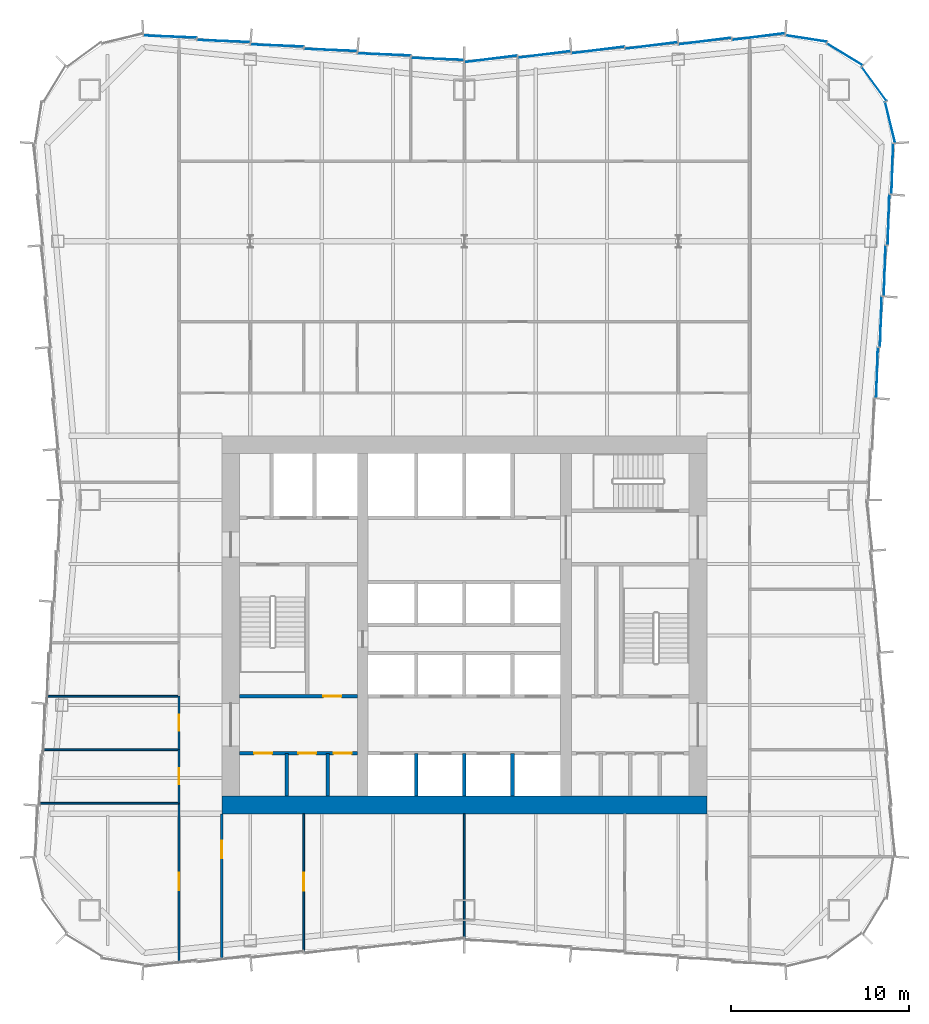
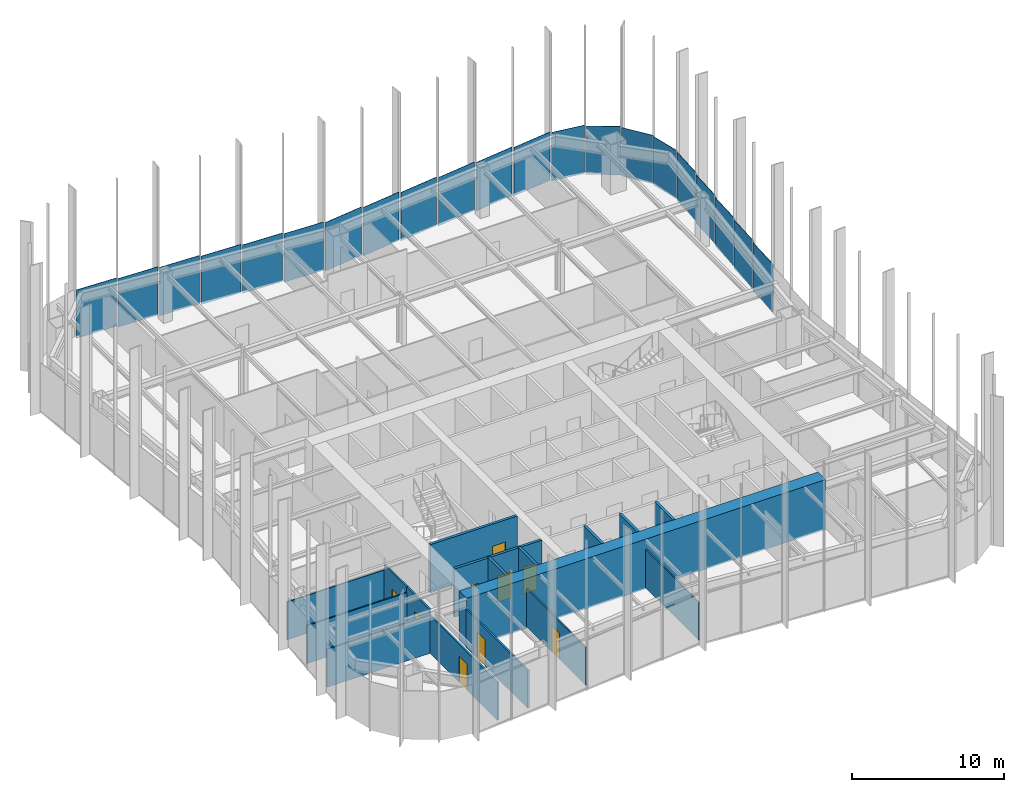
# One storey, part 9 of 13: 21 plates, 17 walls, 9 doors, 9 openings, 3 elements without a shape of their own.
"""IFC4 building model written with IfcOpenShell, lengths in metres."""

from ifc_helpers import new_model, si_unit, direction, frame, frame_2d, origin, origin_2d, place, context, subcontext, project, spatial, rectangle, extrude, material, layer, layer_set, type_object, element, fill, aggregate, save


model = new_model("IFC4")

# Units and contexts
model_context = context("Model", 3, precision=1e-05, world=origin(), true_north=direction((0.0, 1.0)))
body_context = subcontext(model_context, "Body", "Model", "MODEL_VIEW")
ifc_project = project(units=[si_unit("LENGTHUNIT", "METRE"), si_unit("AREAUNIT", "SQUARE_METRE"), si_unit("VOLUMEUNIT", "CUBIC_METRE"), si_unit("PLANEANGLEUNIT", "RADIAN"), si_unit("MASSUNIT", "GRAM", prefix="KILO")], contexts=[model_context])

# Site, building, storey
site_placement = place(None, origin())
site = spatial("IfcSite", under=ifc_project, at=site_placement, CompositionType="ELEMENT")
building_placement = place(site_placement, origin())
building = spatial("IfcBuilding", under=site, at=building_placement, Name="Verdant Reach Tower", CompositionType="ELEMENT")
storey_placement = place(building_placement, frame((0.0, 0.0, 126.0)))
storey = spatial("IfcBuildingStorey", under=building, at=storey_placement, Name="L28", CompositionType="ELEMENT", Elevation=126.0)

# Curtain wall, plates
ifc_material_1 = material(Name="Anodised aluminium", Category="aluminium")
curtain_wall_type = type_object("IfcCurtainWallType", Name="EN-CW SYSTEM Z2", PredefinedType="NOTDEFINED", material=ifc_material_1)
curtain_wall_1_placement = place(storey_placement, origin())
curtain_wall_1 = element("IfcCurtainWall", 1, at=curtain_wall_1_placement, inside=storey, type_object=curtain_wall_type, Name="Curtain wall east, L28", PredefinedType="NOTDEFINED")
ifc_material_2 = material(Name="Tinted glass with champagne spandrel", Category="glass")
ifc_layer_1 = layer(ifc_material_2, 0.031982421875)
ifc_layer_set_1 = layer_set([ifc_layer_1], Name="EN-PANEL CHAMPAGNE")
plate_type_1 = type_object("IfcPlateType", Name="EN-PANEL CHAMPAGNE", PredefinedType="CURTAIN_PANEL", material=ifc_layer_set_1)
plate_1_placement = place(storey_placement, frame((23.355712890625, 44.9921875, -0.22607421875), z_axis=(0.0, 0.0, 1.0), x_axis=(0.032965971753, 0.999456474643, 0.0)))
plate_1 = element("IfcPlate", 2, at=plate_1_placement, type_object=plate_type_1, Name="Glass panel east face part 2 4.1, L28", PredefinedType="CURTAIN_PANEL", context=body_context, shape_type="SweptSolid", body=[
    extrude(rectangle(XDim=2.80517578125, YDim=0.031982421875, at=origin_2d()), origin(), (0.0, 0.0, 1.0), 3.8759765625),
])
plate_2_placement = place(storey_placement, frame((23.570068359375, 47.84912109375, -0.22607421875), z_axis=(0.0, 0.0, 1.0), x_axis=(0.032965971753, 0.999456474643, 0.0)))
plate_2 = element("IfcPlate", 3, at=plate_2_placement, type_object=plate_type_1, Name="Glass panel east face part 2 5.1, L28", PredefinedType="CURTAIN_PANEL", context=body_context, shape_type="SweptSolid", body=[
    extrude(rectangle(XDim=2.80517578125, YDim=0.031982421875, at=origin_2d()), origin(), (0.0, 0.0, 1.0), 3.8759765625),
])
plate_3_placement = place(storey_placement, frame((23.7841796875, 50.706298828125, -0.22607421875), z_axis=(0.0, 0.0, 1.0), x_axis=(0.032965971753, 0.999456474643, 0.0)))
plate_3 = element("IfcPlate", 4, at=plate_3_placement, type_object=plate_type_1, Name="Glass panel east face part 2 6.1, L28", PredefinedType="CURTAIN_PANEL", context=body_context, shape_type="SweptSolid", body=[
    extrude(rectangle(XDim=2.80517578125, YDim=0.031982421875, at=origin_2d()), origin(), (0.0, 0.0, 1.0), 3.8759765625),
])

curtain_wall_2_placement = place(storey_placement, origin())
curtain_wall_2 = element("IfcCurtainWall", 5, at=curtain_wall_2_placement, inside=storey, type_object=curtain_wall_type, Name="Curtain wall north-east corner, L28", PredefinedType="NOTDEFINED")
plate_4_placement = place(storey_placement, frame((21.3271484375, 59.9794921875, -0.22607421875), z_axis=(0.0, 0.0, 1.0), x_axis=(-0.853988694998, 0.520291561353, 0.0)))
plate_4 = element("IfcPlate", 6, at=plate_4_placement, type_object=plate_type_1, Name="Glass panel north-east corner 3.1, L28", PredefinedType="CURTAIN_PANEL", context=body_context, shape_type="SweptSolid", body=[
    extrude(rectangle(XDim=2.322509765625, YDim=0.031982421875, at=origin_2d()), origin(), (0.0, 0.0, 1.0), 3.8759765625),
])
plate_5_placement = place(storey_placement, frame((19.17138671875, 60.87353515625, -0.22607421875), z_axis=(0.0, 0.0, 1.0), x_axis=(-0.988030887576, 0.154256167447, 0.0)))
plate_5 = element("IfcPlate", 7, at=plate_5_placement, type_object=plate_type_1, Name="Glass panel north-east corner 4.1, L28", PredefinedType="CURTAIN_PANEL", context=body_context, shape_type="SweptSolid", body=[
    extrude(rectangle(XDim=2.31640625, YDim=0.031982421875, at=origin_2d()), origin(), (0.0, 0.0, 1.0), 3.8759765625),
])

curtain_wall_3_placement = place(storey_placement, origin())
curtain_wall_3 = element("IfcCurtainWall", 8, at=curtain_wall_3_placement, inside=storey, type_object=curtain_wall_type, Name="Curtain wall north, L28", PredefinedType="NOTDEFINED")
plate_6_placement = place(storey_placement, frame((16.49853515625, 60.980712890625, -0.22607421875), z_axis=(0.0, 0.0, 1.0), x_axis=(-0.992236570309, -0.124364739946, 0.0)))
plate_6 = element("IfcPlate", 9, at=plate_6_placement, type_object=plate_type_1, Name="Glass panel north face part 1 1.1, L28", PredefinedType="CURTAIN_PANEL", context=body_context, shape_type="SweptSolid", body=[
    extrude(rectangle(XDim=2.965087890625, YDim=0.031982421875, at=origin_2d()), origin(), (0.0, 0.0, 1.0), 3.8759765625),
])
plate_7_placement = place(storey_placement, frame((13.4912109375, 60.730712890625, -0.22607421875), z_axis=(0.0, 0.0, 1.0), x_axis=(-0.992194034542, -0.124703639961, 0.0)))
plate_7 = element("IfcPlate", 10, at=plate_7_placement, type_object=plate_type_1, Name="Glass panel north face part 1 2.1, L28", PredefinedType="CURTAIN_PANEL", context=body_context, shape_type="SweptSolid", body=[
    extrude(rectangle(XDim=2.950439453125, YDim=0.031982421875, at=origin_2d()), origin(), (0.0, 0.0, 1.0), 3.8759765625),
])
plate_8_placement = place(storey_placement, frame((-4.4912109375, 59.980712890625, -0.22607421875), z_axis=(0.0, 0.0, 1.0), x_axis=(-0.999149202059, 0.041241629766, 0.0)))
plate_8 = element("IfcPlate", 11, at=plate_8_placement, type_object=plate_type_1, Name="Glass panel north face part 2 2.1, L28", PredefinedType="CURTAIN_PANEL", context=body_context, shape_type="SweptSolid", body=[
    extrude(rectangle(XDim=2.950439453125, YDim=0.031982421875, at=origin_2d()), origin(), (0.0, 0.0, 1.0), 3.8759765625),
])
plate_9_placement = place(storey_placement, frame((-7.4912109375, 60.230712890625, -0.22607421875), z_axis=(0.0, 0.0, 1.0), x_axis=(-0.999149202059, 0.041241629766, 0.0)))
plate_9 = element("IfcPlate", 12, at=plate_9_placement, type_object=plate_type_1, Name="Glass panel north face part 2 3.1, L28", PredefinedType="CURTAIN_PANEL", context=body_context, shape_type="SweptSolid", body=[
    extrude(rectangle(XDim=2.950439453125, YDim=0.031982421875, at=origin_2d()), origin(), (0.0, 0.0, 1.0), 3.8759765625),
])
plate_10_placement = place(storey_placement, frame((-10.4912109375, 60.480712890625, -0.22607421875), z_axis=(0.0, 0.0, 1.0), x_axis=(-0.999149202059, 0.041241629766, 0.0)))
plate_10 = element("IfcPlate", 13, at=plate_10_placement, type_object=plate_type_1, Name="Glass panel north face part 2 4.1, L28", PredefinedType="CURTAIN_PANEL", context=body_context, shape_type="SweptSolid", body=[
    extrude(rectangle(XDim=2.950439453125, YDim=0.031982421875, at=origin_2d()), origin(), (0.0, 0.0, 1.0), 3.8759765625),
])

# Plate
ifc_material_3 = material(Name="Tinted glass with copper spandrel", Category="glass")
ifc_layer_2 = layer(ifc_material_3, 0.031982421875)
ifc_layer_set_2 = layer_set([ifc_layer_2], Name="EN-PANEL COPPER")
plate_type_2 = type_object("IfcPlateType", Name="EN-PANEL COPPER", PredefinedType="CURTAIN_PANEL", material=ifc_layer_set_2)
plate_11_placement = place(storey_placement, frame((23.99853515625, 53.57080078125, -0.22607421875), z_axis=(0.0, 0.0, 1.0), x_axis=(0.032628234484, 0.99946755741, 0.0)))
plate_11 = element("IfcPlate", 14, at=plate_11_placement, type_object=plate_type_2, Name="Glass panel east face part 2 7.1, L28", PredefinedType="CURTAIN_PANEL", context=body_context, shape_type="SweptSolid", body=[
    extrude(rectangle(XDim=2.819580078125, YDim=0.031982421875, at=origin_2d()), origin(), (0.0, 0.0, 1.0), 3.8759765625),
])

plate_12_placement = place(storey_placement, frame((10.4912109375, 60.480712890625, -0.22607421875), z_axis=(0.0, 0.0, 1.0), x_axis=(-0.992194034542, -0.124703639961, 0.0)))
plate_12 = element("IfcPlate", 15, at=plate_12_placement, type_object=plate_type_2, Name="Glass panel north face part 1 3.1, L28", PredefinedType="CURTAIN_PANEL", context=body_context, shape_type="SweptSolid", body=[
    extrude(rectangle(XDim=2.950439453125, YDim=0.031982421875, at=origin_2d()), origin(), (0.0, 0.0, 1.0), 3.8759765625),
])

plate_13_placement = place(storey_placement, frame((7.4912109375, 60.230712890625, -0.22607421875), z_axis=(0.0, 0.0, 1.0), x_axis=(-0.992194034542, -0.124703639961, 0.0)))
plate_13 = element("IfcPlate", 16, at=plate_13_placement, type_object=plate_type_2, Name="Glass panel north face part 1 4.1, L28", PredefinedType="CURTAIN_PANEL", context=body_context, shape_type="SweptSolid", body=[
    extrude(rectangle(XDim=2.950439453125, YDim=0.031982421875, at=origin_2d()), origin(), (0.0, 0.0, 1.0), 3.8759765625),
])

plate_14_placement = place(storey_placement, frame((4.4912109375, 59.980712890625, -0.22607421875), z_axis=(0.0, 0.0, 1.0), x_axis=(-0.992194034542, -0.124703639961, 0.0)))
plate_14 = element("IfcPlate", 17, at=plate_14_placement, type_object=plate_type_2, Name="Glass panel north face part 1 5.1, L28", PredefinedType="CURTAIN_PANEL", context=body_context, shape_type="SweptSolid", body=[
    extrude(rectangle(XDim=2.950439453125, YDim=0.031982421875, at=origin_2d()), origin(), (0.0, 0.0, 1.0), 3.8759765625),
])

plate_15_placement = place(storey_placement, frame((-13.4912109375, 60.730712890625, -0.22607421875), z_axis=(0.0, 0.0, 1.0), x_axis=(-0.999149202059, 0.041241629766, 0.0)))
plate_15 = element("IfcPlate", 18, at=plate_15_placement, type_object=plate_type_2, Name="Glass panel north face part 2 5.1, L28", PredefinedType="CURTAIN_PANEL", context=body_context, shape_type="SweptSolid", body=[
    extrude(rectangle(XDim=2.950439453125, YDim=0.031982421875, at=origin_2d()), origin(), (0.0, 0.0, 1.0), 3.8759765625),
])

plate_16_placement = place(storey_placement, frame((-16.49853515625, 60.980712890625, -0.22607421875), z_axis=(0.0, 0.0, 1.0), x_axis=(-0.999163230224, 0.040900359019, 0.0)))
plate_16 = element("IfcPlate", 19, at=plate_16_placement, type_object=plate_type_2, Name="Glass panel north face part 2 6.1, L28", PredefinedType="CURTAIN_PANEL", context=body_context, shape_type="SweptSolid", body=[
    extrude(rectangle(XDim=2.965087890625, YDim=0.031982421875, at=origin_2d()), origin(), (0.0, 0.0, 1.0), 3.8759765625),
])

ifc_material_4 = material(Name="Tinted glass with dark bronze spandrel", Category="glass")
ifc_layer_3 = layer(ifc_material_4, 0.031982421875)
ifc_layer_set_3 = layer_set([ifc_layer_3], Name="EN-PANEL DARK")
plate_type_3 = type_object("IfcPlateType", Name="EN-PANEL DARK", PredefinedType="CURTAIN_PANEL", material=ifc_layer_set_3)
plate_17_placement = place(storey_placement, frame((23.141357421875, 42.135009765625, -0.22607421875), z_axis=(0.0, 0.0, 1.0), x_axis=(0.032965971753, 0.999456474643, 0.0)))
plate_17 = element("IfcPlate", 20, at=plate_17_placement, type_object=plate_type_3, Name="Glass panel east face part 2 3.1, L28", PredefinedType="CURTAIN_PANEL", context=body_context, shape_type="SweptSolid", body=[
    extrude(rectangle(XDim=2.80517578125, YDim=0.031982421875, at=origin_2d()), origin(), (0.0, 0.0, 1.0), 3.8759765625),
])

aggregate(curtain_wall_1, [plate_17, plate_1, plate_2, plate_3, plate_11])

plate_18_placement = place(storey_placement, frame((23.87353515625, 56.171630859375, -0.22607421875), z_axis=(0.0, 0.0, 1.0), x_axis=(-0.236416170006, 0.971651889598, 0.0)))
plate_18 = element("IfcPlate", 21, at=plate_18_placement, type_object=plate_type_3, Name="Glass panel north-east corner 1.1, L28", PredefinedType="CURTAIN_PANEL", context=body_context, shape_type="SweptSolid", body=[
    extrude(rectangle(XDim=2.316162109375, YDim=0.031982421875, at=origin_2d()), origin(), (0.0, 0.0, 1.0), 3.8759765625),
])

plate_19_placement = place(storey_placement, frame((22.9794921875, 58.3271484375, -0.22607421875), z_axis=(0.0, 0.0, 1.0), x_axis=(-0.589926757843, 0.807456760688, 0.0)))
plate_19 = element("IfcPlate", 22, at=plate_19_placement, type_object=plate_type_3, Name="Glass panel north-east corner 2.1, L28", PredefinedType="CURTAIN_PANEL", context=body_context, shape_type="SweptSolid", body=[
    extrude(rectangle(XDim=2.322509765625, YDim=0.031982421875, at=origin_2d()), origin(), (0.0, 0.0, 1.0), 3.8759765625),
])

aggregate(curtain_wall_2, [plate_18, plate_19, plate_4, plate_5])

plate_20_placement = place(storey_placement, frame((1.49560546875, 59.730712890625, -0.22607421875), z_axis=(0.0, 0.0, 1.0), x_axis=(-0.992178815188, -0.12482467181, 0.0)))
plate_20 = element("IfcPlate", 23, at=plate_20_placement, type_object=plate_type_3, Name="Glass panel north face part 1 6.1, L28", PredefinedType="CURTAIN_PANEL", context=body_context, shape_type="SweptSolid", body=[
    extrude(rectangle(XDim=2.941650390625, YDim=0.031982421875, at=origin_2d()), origin(), (0.0, 0.0, 1.0), 3.8759765625),
])

plate_21_placement = place(storey_placement, frame((-1.49560546875, 59.730712890625, -0.22607421875), z_axis=(0.0, 0.0, 1.0), x_axis=(-0.999144163765, 0.041363510662, 0.0)))
plate_21 = element("IfcPlate", 24, at=plate_21_placement, type_object=plate_type_3, Name="Glass panel north face part 2 1.1, L28", PredefinedType="CURTAIN_PANEL", context=body_context, shape_type="SweptSolid", body=[
    extrude(rectangle(XDim=2.941650390625, YDim=0.031982421875, at=origin_2d()), origin(), (0.0, 0.0, 1.0), 3.8759765625),
])

aggregate(curtain_wall_3, [plate_6, plate_7, plate_12, plate_13, plate_14, plate_20, plate_21, plate_8, plate_9, plate_10, plate_15, plate_16])

# Wall, openings, doors
ifc_material_5 = material(Name="Gypsum board on steel studs", Category="steel")
ifc_layer_4 = layer(ifc_material_5, 0.199951171875)
ifc_layer_set_4 = layer_set([ifc_layer_4], Name="CO-WALL-ROOM")
wall_type_1 = type_object("IfcWallType", Name="CO-WALL-ROOM", PredefinedType="PARTITIONING", material=ifc_layer_set_4)
wall_1_placement = place(storey_placement, frame((-12.60009765625, 20.800048828125, 0.0), z_axis=(0.0, 0.0, 1.0), x_axis=(1.0, 0.0, 0.0)))
wall_1 = element("IfcWall", 25, at=wall_1_placement, inside=storey, type_object=wall_type_1, Name="Core partition, L28", PredefinedType="PARTITIONING", context=body_context, shape_type="SweptSolid", body=[
    extrude(rectangle(XDim=6.60009765625, YDim=0.199951171875, at=frame_2d((3.300048828125, 0.0))), origin(), (0.0, 0.0, 1.0), 3.8701171875),
])
opening_1_placement = place(wall_1_placement, frame((0.820068359375, 0.0, 0.0)))
opening_1 = element("IfcOpeningElement", 26, at=opening_1_placement, cuts=wall_1, Name="Opening CD", PredefinedType="OPENING", context=body_context, shape_type="SweptSolid", body=[
    extrude(rectangle(XDim=1.0, YDim=2.10009765625, at=frame_2d((0.5, 1.050048828125))), frame((0.0, 0.10986328125, 0.0), z_axis=(0.0, -1.0, 0.0), x_axis=(1.0, 0.0, 0.0)), (0.0, 0.0, 1.0), 0.219970703125),
])
opening_2_placement = place(wall_1_placement, frame((3.294921875, 0.0, 0.0)))
opening_2 = element("IfcOpeningElement", 27, at=opening_2_placement, cuts=wall_1, Name="Opening CD", PredefinedType="OPENING", context=body_context, shape_type="SweptSolid", body=[
    extrude(rectangle(XDim=1.0, YDim=2.10009765625, at=frame_2d((0.5, 1.050048828125))), frame((0.0, 0.10986328125, 0.0), z_axis=(0.0, -1.0, 0.0), x_axis=(1.0, 0.0, 0.0)), (0.0, 0.0, 1.0), 0.219970703125),
])
opening_3_placement = place(wall_1_placement, frame((5.27490234375, 0.0, 0.0)))
opening_3 = element("IfcOpeningElement", 28, at=opening_3_placement, cuts=wall_1, Name="Opening CD", PredefinedType="OPENING", context=body_context, shape_type="SweptSolid", body=[
    extrude(rectangle(XDim=1.0, YDim=2.10009765625, at=frame_2d((0.5, 1.050048828125))), frame((0.0, 0.10986328125, 0.0), z_axis=(0.0, -1.0, 0.0), x_axis=(1.0, 0.0, 0.0)), (0.0, 0.0, 1.0), 0.219970703125),
])
ifc_material_6 = material(Name="Timber", Category="wood")
door_type_1 = type_object("IfcDoorType", Name="CO-DOOR-ROOM", OperationType="NOTDEFINED", PredefinedType="DOOR", material=ifc_material_6)
door_1_placement = place(opening_1_placement, origin())
door_1 = element("IfcDoor", 29, at=door_1_placement, inside=storey, type_object=door_type_1, Name="Core room door, L28", OperationType="SINGLE_SWING_LEFT", OverallHeight=2.10009765625, OverallWidth=1.0, PredefinedType="DOOR", context=body_context, shape_type="SweptSolid", body=[
    extrude(rectangle(XDim=1.0, YDim=2.10009765625, at=frame_2d((0.5, 1.050048828125))), frame((0.0, 0.02490234375, 0.0), z_axis=(0.0, -1.0, 0.0), x_axis=(1.0, 0.0, 0.0)), (0.0, 0.0, 1.0), 0.050048828125),
])
fill(opening_1, door_1)
door_2_placement = place(opening_2_placement, origin())
door_2 = element("IfcDoor", 30, at=door_2_placement, inside=storey, type_object=door_type_1, Name="Core room door, L28", OperationType="SINGLE_SWING_LEFT", OverallHeight=2.10009765625, OverallWidth=1.0, PredefinedType="DOOR", context=body_context, shape_type="SweptSolid", body=[
    extrude(rectangle(XDim=1.0, YDim=2.10009765625, at=frame_2d((0.5, 1.050048828125))), frame((0.0, 0.02490234375, 0.0), z_axis=(0.0, -1.0, 0.0), x_axis=(1.0, 0.0, 0.0)), (0.0, 0.0, 1.0), 0.050048828125),
])
fill(opening_2, door_2)
door_3_placement = place(opening_3_placement, origin())
door_3 = element("IfcDoor", 31, at=door_3_placement, inside=storey, type_object=door_type_1, Name="Core room door, L28", OperationType="SINGLE_SWING_RIGHT", OverallHeight=2.10009765625, OverallWidth=1.0, PredefinedType="DOOR", context=body_context, shape_type="SweptSolid", body=[
    extrude(rectangle(XDim=1.0, YDim=2.10009765625, at=frame_2d((0.5, 1.050048828125))), frame((0.0, 0.02490234375, 0.0), z_axis=(0.0, -1.0, 0.0), x_axis=(1.0, 0.0, 0.0)), (0.0, 0.0, 1.0), 0.050048828125),
])
fill(opening_3, door_3)

# Walls
for number, where, z_axis, x_axis, name in (
    (32, (-9.9599609375, 18.39990234375, 0.0), (0.0, 0.0, 1.0), (0.0, 1.0, 0.0), "Core partition, L28"),
    (33, (-7.64990234375, 18.39990234375, 0.0), (0.0, 0.0, 1.0), (0.0, 1.0, 0.0), "Core partition, L28"),
):
    element("IfcWall", number, at=place(storey_placement, frame(where, z_axis=z_axis, x_axis=x_axis)), inside=storey, type_object=wall_type_1, Name=name, PredefinedType="PARTITIONING", context=body_context, shape_type="SweptSolid", body=[
        extrude(rectangle(XDim=2.400146484375, YDim=0.199951171875, at=frame_2d((1.2001953125, 0.0))), origin(), (0.0, 0.0, 1.0), 3.8701171875),
    ])
ifc_material_7 = material(Name="Concrete C40/50", Category="concrete")
ifc_layer_5 = layer(ifc_material_7, 0.199951171875)
ifc_layer_set_5 = layer_set([ifc_layer_5], Name="CO-WALL-SHAFT")
wall_type_2 = type_object("IfcWallType", Name="CO-WALL-SHAFT", PredefinedType="PARTITIONING", material=ifc_layer_set_5)
for number, where, z_axis, x_axis, name in (
    (34, (-2.699951171875, 18.39990234375, 0.0), (0.0, 0.0, 1.0), (0.0, 1.0, 0.0), "Lift shaft wall, L28"),
    (35, (0.0, 18.39990234375, 0.0), (0.0, 0.0, 1.0), (0.0, 1.0, 0.0), "Lift shaft wall, L28"),
    (36, (2.699951171875, 18.39990234375, 0.0), (0.0, 0.0, 1.0), (0.0, 1.0, 0.0), "Lift shaft wall, L28"),
):
    element("IfcWall", number, at=place(storey_placement, frame(where, z_axis=z_axis, x_axis=x_axis)), inside=storey, type_object=wall_type_2, Name=name, PredefinedType="PARTITIONING", context=body_context, shape_type="SweptSolid", body=[
        extrude(rectangle(XDim=2.400146484375, YDim=0.199951171875, at=frame_2d((1.2001953125, 0.0))), origin(), (0.0, 0.0, 1.0), 3.8701171875),
    ])

# Wall, opening, door
ifc_layer_6 = layer(ifc_material_7, 0.199951171875)
ifc_layer_set_6 = layer_set([ifc_layer_6], Name="CO-WALL-STAIR")
wall_type_3 = type_object("IfcWallType", Name="CO-WALL-STAIR", PredefinedType="PARTITIONING", material=ifc_layer_set_6)
wall_2_placement = place(storey_placement, frame((-12.60009765625, 24.0, 0.0), z_axis=(0.0, 0.0, 1.0), x_axis=(1.0, 0.0, 0.0)))
wall_2 = element("IfcWall", 37, at=wall_2_placement, inside=storey, type_object=wall_type_3, Name="Stair enclosure wall, L28", PredefinedType="PARTITIONING", context=body_context, shape_type="SweptSolid", body=[
    extrude(rectangle(XDim=6.60009765625, YDim=0.199951171875, at=frame_2d((3.300048828125, 0.0))), origin(), (0.0, 0.0, 1.0), 3.8701171875),
])
opening_4_placement = place(wall_2_placement, frame((4.699951171875, 0.0, 0.0)))
opening_4 = element("IfcOpeningElement", 38, at=opening_4_placement, cuts=wall_2, Name="Opening CD", PredefinedType="OPENING", context=body_context, shape_type="SweptSolid", body=[
    extrude(rectangle(XDim=1.0, YDim=2.10009765625, at=frame_2d((0.5, 1.050048828125))), frame((0.0, 0.10986328125, 0.0), z_axis=(0.0, -1.0, 0.0), x_axis=(1.0, 0.0, 0.0)), (0.0, 0.0, 1.0), 0.219970703125),
])
door_4_placement = place(opening_4_placement, origin())
door_4 = element("IfcDoor", 39, at=door_4_placement, inside=storey, type_object=door_type_1, Name="Core room door, L28", OperationType="SINGLE_SWING_LEFT", OverallHeight=2.10009765625, OverallWidth=1.0, PredefinedType="DOOR", context=body_context, shape_type="SweptSolid", body=[
    extrude(rectangle(XDim=1.0, YDim=2.10009765625, at=frame_2d((0.5, 1.050048828125))), frame((0.0, 0.02490234375, 0.0), z_axis=(0.0, -1.0, 0.0), x_axis=(1.0, 0.0, 0.0)), (0.0, 0.0, 1.0), 0.050048828125),
])
fill(opening_4, door_4)

# Walls
ifc_layer_7 = layer(ifc_material_5, 0.10009765625)
ifc_layer_set_7 = layer_set([ifc_layer_7], Name="FL-W1 Partition 100")
wall_type_4 = type_object("IfcWallType", Name="FL-W1 Partition 100", PredefinedType="PARTITIONING", material=ifc_layer_set_7)
wall_3_placement = place(storey_placement, frame((-16.0, 18.0, 0.0), z_axis=(0.0, 0.0, 1.0), x_axis=(-1.0, 0.0, 0.0)))
element("IfcWall", 40, at=wall_3_placement, inside=storey, type_object=wall_type_4, Name="Partition 28.19", PredefinedType="PARTITIONING", context=body_context, shape_type="SweptSolid", body=[
    extrude(rectangle(XDim=7.85498046875, YDim=0.10009765625, at=frame_2d((3.927490234375, 0.0))), origin(), (0.0, 0.0, 1.0), 3.0400390625),
])
wall_4_placement = place(storey_placement, frame((-16.0, 21.0, 0.0), z_axis=(0.0, 0.0, 1.0), x_axis=(-1.0, 0.0, 0.0)))
element("IfcWall", 41, at=wall_4_placement, inside=storey, type_object=wall_type_4, Name="Partition 28.20", PredefinedType="PARTITIONING", context=body_context, shape_type="SweptSolid", body=[
    extrude(rectangle(XDim=7.6298828125, YDim=0.10009765625, at=frame_2d((3.81494140625, 0.0))), origin(), (0.0, 0.0, 1.0), 3.0400390625),
])
wall_5_placement = place(storey_placement, frame((-16.0, 24.0, 0.0), z_axis=(0.0, 0.0, 1.0), x_axis=(-1.0, 0.0, 0.0)))
element("IfcWall", 42, at=wall_5_placement, inside=storey, type_object=wall_type_4, Name="Partition 28.21", PredefinedType="PARTITIONING", context=body_context, shape_type="SweptSolid", body=[
    extrude(rectangle(XDim=7.405029296875, YDim=0.10009765625, at=frame_2d((3.70263671875, 0.0))), origin(), (0.0, 0.0, 1.0), 3.0400390625),
])

# Wall, opening, door
wall_6_placement = place(storey_placement, frame((-9.0, 17.39990234375, 0.0), z_axis=(0.0, 0.0, 1.0), x_axis=(0.0, -1.0, 0.0)))
wall_6 = element("IfcWall", 43, at=wall_6_placement, inside=storey, type_object=wall_type_4, Name="Partition 28.34", PredefinedType="PARTITIONING", context=body_context, shape_type="SweptSolid", body=[
    extrude(rectangle(XDim=7.72998046875, YDim=0.10009765625, at=frame_2d((3.864990234375, 0.0))), origin(), (0.0, 0.0, 1.0), 3.0400390625),
])
opening_5_placement = place(wall_6_placement, frame((3.2998046875, 0.0, 0.0)))
opening_5 = element("IfcOpeningElement", 44, at=opening_5_placement, cuts=wall_6, Name="Opening D3", PredefinedType="OPENING", context=body_context, shape_type="SweptSolid", body=[
    extrude(rectangle(XDim=1.0, YDim=2.10009765625, at=frame_2d((0.5, 1.050048828125))), frame((0.0, 0.06005859375, 0.0), z_axis=(0.0, -1.0, 0.0), x_axis=(1.0, 0.0, 0.0)), (0.0, 0.0, 1.0), 0.1201171875),
])
ifc_material_8 = material(Name="Painted timber door leaf", Category="wood")
door_type_2 = type_object("IfcDoorType", Name="FL-D3 Door 1000x2100", OperationType="NOTDEFINED", PredefinedType="DOOR", material=ifc_material_8)
door_5_placement = place(opening_5_placement, origin())
door_5 = element("IfcDoor", 45, at=door_5_placement, inside=storey, type_object=door_type_2, Name="Door 28-017", OperationType="SINGLE_SWING_LEFT", OverallHeight=2.10009765625, OverallWidth=1.0, PredefinedType="DOOR", context=body_context, shape_type="SweptSolid", body=[
    extrude(rectangle(XDim=1.0, YDim=2.10009765625, at=frame_2d((0.5, 1.050048828125))), frame((0.0, 0.02490234375, 0.0), z_axis=(0.0, -1.0, 0.0), x_axis=(1.0, 0.0, 0.0)), (0.0, 0.0, 1.0), 0.050048828125),
])
fill(opening_5, door_5)

# Wall
wall_7_placement = place(storey_placement, frame((0.0, 10.419921875, 0.0), z_axis=(0.0, 0.0, 1.0), x_axis=(0.0, 1.0, 0.0)))
element("IfcWall", 46, at=wall_7_placement, inside=storey, type_object=wall_type_4, Name="Partition 28.35", PredefinedType="PARTITIONING", context=body_context, shape_type="SweptSolid", body=[
    extrude(rectangle(XDim=6.97998046875, YDim=0.10009765625, at=frame_2d((3.489990234375, 0.0))), origin(), (0.0, 0.0, 1.0), 3.0400390625),
])

# Wall, opening, door
ifc_material_9 = material(Name="Gypsum board on steel studs, fire rated", Category="steel")
ifc_layer_8 = layer(ifc_material_9, 0.125)
ifc_layer_set_8 = layer_set([ifc_layer_8], Name="FL-W2 Corridor wall 125")
wall_type_5 = type_object("IfcWallType", Name="FL-W2 Corridor wall 125", PredefinedType="PARTITIONING", material=ifc_layer_set_8)
wall_8_placement = place(storey_placement, frame((-16.0, 9.086669921875, 0.0), z_axis=(0.0, 0.0, 1.0), x_axis=(0.0, 1.0, 0.0)))
wall_8 = element("IfcWall", 47, at=wall_8_placement, inside=storey, type_object=wall_type_5, Name="Partition 28.01", PredefinedType="PARTITIONING", context=body_context, shape_type="SweptSolid", body=[
    extrude(rectangle(XDim=8.913330078125, YDim=0.125, at=frame_2d((4.45654296875, 0.0))), origin(), (0.0, 0.0, 1.0), 3.0400390625),
])
opening_6_placement = place(wall_8_placement, frame((4.021728515625, 0.0, 0.0)))
opening_6 = element("IfcOpeningElement", 48, at=opening_6_placement, cuts=wall_8, Name="Opening D2", PredefinedType="OPENING", context=body_context, shape_type="SweptSolid", body=[
    extrude(rectangle(XDim=1.0, YDim=2.10009765625, at=frame_2d((0.5, 1.050048828125))), frame((0.0, 0.072509765625, 0.0), z_axis=(0.0, -1.0, 0.0), x_axis=(1.0, 0.0, 0.0)), (0.0, 0.0, 1.0), 0.14501953125),
])
ifc_material_10 = material(Name="Timber door leaf, fire rated", Category="wood")
door_type_3 = type_object("IfcDoorType", Name="FL-D2 Entrance door 1000x2100 FD30", OperationType="NOTDEFINED", PredefinedType="DOOR", material=ifc_material_10)
door_6_placement = place(opening_6_placement, origin())
door_6 = element("IfcDoor", 49, at=door_6_placement, inside=storey, type_object=door_type_3, Name="Door 28-001", OperationType="SINGLE_SWING_RIGHT", OverallHeight=2.10009765625, OverallWidth=1.0, PredefinedType="DOOR", context=body_context, shape_type="SweptSolid", body=[
    extrude(rectangle(XDim=1.0, YDim=2.10009765625, at=frame_2d((0.5, 1.050048828125))), frame((0.0, 0.02490234375, 0.0), z_axis=(0.0, -1.0, 0.0), x_axis=(1.0, 0.0, 0.0)), (0.0, 0.0, 1.0), 0.050048828125),
])
fill(opening_6, door_6)

wall_9_placement = place(storey_placement, frame((-16.0, 18.0, 0.0), z_axis=(0.0, 0.0, 1.0), x_axis=(0.0, 1.0, 0.0)))
wall_9 = element("IfcWall", 50, at=wall_9_placement, inside=storey, type_object=wall_type_5, Name="Partition 28.02", PredefinedType="PARTITIONING", context=body_context, shape_type="SweptSolid", body=[
    extrude(rectangle(XDim=3.0, YDim=0.125, at=frame_2d((1.5, 0.0))), origin(), (0.0, 0.0, 1.0), 3.47998046875),
])
opening_7_placement = place(wall_9_placement, frame((1.050048828125, 0.0, 0.0)))
opening_7 = element("IfcOpeningElement", 51, at=opening_7_placement, cuts=wall_9, Name="Opening D1", PredefinedType="OPENING", context=body_context, shape_type="SweptSolid", body=[
    extrude(rectangle(XDim=0.89990234375, YDim=2.10009765625, at=frame_2d((0.449951171875, 1.050048828125))), frame((0.0, 0.072509765625, 0.0), z_axis=(0.0, -1.0, 0.0), x_axis=(1.0, 0.0, 0.0)), (0.0, 0.0, 1.0), 0.14501953125),
])
door_type_4 = type_object("IfcDoorType", Name="FL-D1 Door 900x2100", OperationType="NOTDEFINED", PredefinedType="DOOR", material=ifc_material_8)
door_7_placement = place(opening_7_placement, origin())
door_7 = element("IfcDoor", 52, at=door_7_placement, inside=storey, type_object=door_type_4, Name="Door 28-002", OperationType="SINGLE_SWING_RIGHT", OverallHeight=2.10009765625, OverallWidth=0.89990234375, PredefinedType="DOOR", context=body_context, shape_type="SweptSolid", body=[
    extrude(rectangle(XDim=0.89990234375, YDim=2.10009765625, at=frame_2d((0.449951171875, 1.050048828125))), frame((0.0, 0.02490234375, 0.0), z_axis=(0.0, -1.0, 0.0), x_axis=(1.0, 0.0, 0.0)), (0.0, 0.0, 1.0), 0.050048828125),
])
fill(opening_7, door_7)

wall_10_placement = place(storey_placement, frame((-16.0, 21.0, 0.0), z_axis=(0.0, 0.0, 1.0), x_axis=(0.0, 1.0, 0.0)))
wall_10 = element("IfcWall", 53, at=wall_10_placement, inside=storey, type_object=wall_type_5, Name="Partition 28.03", PredefinedType="PARTITIONING", context=body_context, shape_type="SweptSolid", body=[
    extrude(rectangle(XDim=3.0, YDim=0.125, at=frame_2d((1.5, 0.0))), origin(), (0.0, 0.0, 1.0), 3.47998046875),
])
opening_8_placement = place(wall_10_placement, frame((1.050048828125, 0.0, 0.0)))
opening_8 = element("IfcOpeningElement", 54, at=opening_8_placement, cuts=wall_10, Name="Opening D1", PredefinedType="OPENING", context=body_context, shape_type="SweptSolid", body=[
    extrude(rectangle(XDim=0.89990234375, YDim=2.10009765625, at=frame_2d((0.449951171875, 1.050048828125))), frame((0.0, 0.072509765625, 0.0), z_axis=(0.0, -1.0, 0.0), x_axis=(1.0, 0.0, 0.0)), (0.0, 0.0, 1.0), 0.14501953125),
])
door_8_placement = place(opening_8_placement, origin())
door_8 = element("IfcDoor", 55, at=door_8_placement, inside=storey, type_object=door_type_4, Name="Door 28-003", OperationType="SINGLE_SWING_LEFT", OverallHeight=2.10009765625, OverallWidth=0.89990234375, PredefinedType="DOOR", context=body_context, shape_type="SweptSolid", body=[
    extrude(rectangle(XDim=0.89990234375, YDim=2.10009765625, at=frame_2d((0.449951171875, 1.050048828125))), frame((0.0, 0.02490234375, 0.0), z_axis=(0.0, -1.0, 0.0), x_axis=(1.0, 0.0, 0.0)), (0.0, 0.0, 1.0), 0.050048828125),
])
fill(opening_8, door_8)

wall_11_placement = place(storey_placement, frame((-13.60009765625, 17.39990234375, 0.0), z_axis=(0.0, 0.0, 1.0), x_axis=(0.0, -1.0, 0.0)))
wall_11 = element("IfcWall", 56, at=wall_11_placement, inside=storey, type_object=wall_type_5, Name="Partition 28.12", PredefinedType="PARTITIONING", context=body_context, shape_type="SweptSolid", body=[
    extrude(rectangle(XDim=8.11328125, YDim=0.125, at=frame_2d((4.056640625, 0.0))), origin(), (0.0, 0.0, 1.0), 3.0400390625),
])
opening_9_placement = place(wall_11_placement, frame((1.49169921875, 0.0, 0.0)))
opening_9 = element("IfcOpeningElement", 57, at=opening_9_placement, cuts=wall_11, Name="Opening D2", PredefinedType="OPENING", context=body_context, shape_type="SweptSolid", body=[
    extrude(rectangle(XDim=1.0, YDim=2.10009765625, at=frame_2d((0.5, 1.050048828125))), frame((0.0, 0.072509765625, 0.0), z_axis=(0.0, -1.0, 0.0), x_axis=(1.0, 0.0, 0.0)), (0.0, 0.0, 1.0), 0.14501953125),
])
door_9_placement = place(opening_9_placement, origin())
door_9 = element("IfcDoor", 58, at=door_9_placement, inside=storey, type_object=door_type_3, Name="Door 28-012", OperationType="SINGLE_SWING_LEFT", OverallHeight=2.10009765625, OverallWidth=1.0, PredefinedType="DOOR", context=body_context, shape_type="SweptSolid", body=[
    extrude(rectangle(XDim=1.0, YDim=2.10009765625, at=frame_2d((0.5, 1.050048828125))), frame((0.0, 0.02490234375, 0.0), z_axis=(0.0, -1.0, 0.0), x_axis=(1.0, 0.0, 0.0)), (0.0, 0.0, 1.0), 0.050048828125),
])
fill(opening_9, door_9)

# Wall
ifc_material_11 = material(Name="Concrete C70/85", Category="concrete")
ifc_layer_9 = layer(ifc_material_11, 1.0)
ifc_layer_set_9 = layer_set([ifc_layer_9], Name="ST-CORE-WALL-1000")
wall_type_6 = type_object("IfcWallType", Name="ST-CORE-WALL-1000", PredefinedType="SHEAR", material=ifc_layer_set_9)
wall_12_placement = place(storey_placement, frame((-13.60009765625, 17.89990234375, -0.1298828125), z_axis=(0.0, 0.0, 1.0), x_axis=(1.0, 0.0, 0.0)))
element("IfcWall", 59, at=wall_12_placement, inside=storey, type_object=wall_type_6, Name="Core wall S, L28", PredefinedType="SHEAR", context=body_context, shape_type="SweptSolid", body=[
    extrude(rectangle(XDim=27.2001953125, YDim=1.0, at=frame_2d((13.60009765625, 0.0))), origin(), (0.0, 0.0, 1.0), 4.0),
])

save(model, "model.ifc")
